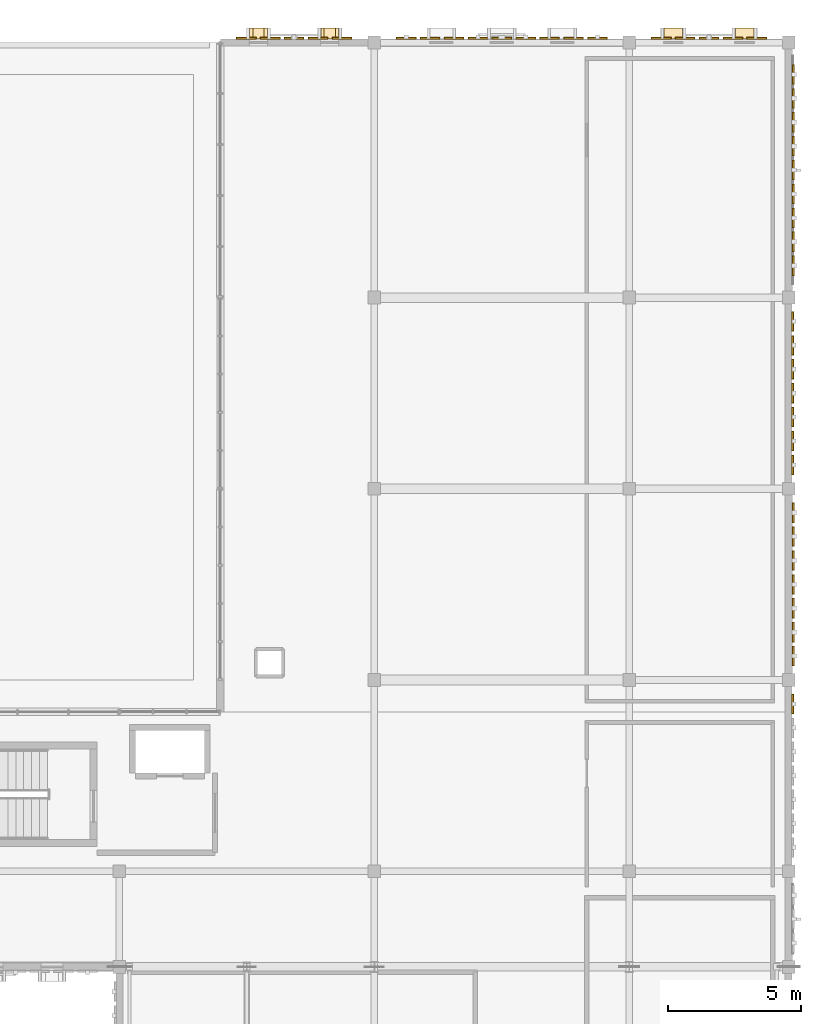
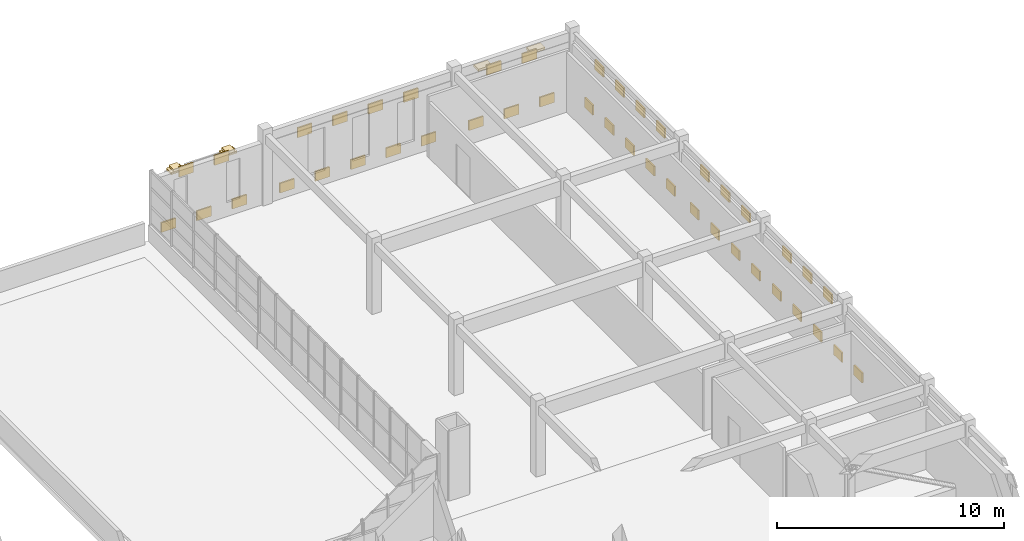
# One storey, part 79 of 79: 49 coverings.
"""IFC4 building model written with IfcOpenShell, lengths in metres."""

from ifc_helpers import new_model, si_unit, direction, frame, origin, origin_2d, place, context, subcontext, project, spatial, rectangle, extrude, material, layer, layer_set, type_object, element, save


model = new_model("IFC4")

# Units and contexts
model_context = context("Model", 3, precision=1e-05, world=origin(), true_north=direction((0.0, 1.0)))
body_context = subcontext(model_context, "Body", "Model", "MODEL_VIEW")
ifc_project = project(units=[si_unit("LENGTHUNIT", "METRE"), si_unit("AREAUNIT", "SQUARE_METRE"), si_unit("VOLUMEUNIT", "CUBIC_METRE"), si_unit("PLANEANGLEUNIT", "RADIAN"), si_unit("MASSUNIT", "GRAM", prefix="KILO")], contexts=[model_context])

# Site, building, storey
site_placement = place(None, origin())
site = spatial("IfcSite", under=ifc_project, at=site_placement, CompositionType="ELEMENT")
building_placement = place(site_placement, origin())
building = spatial("IfcBuilding", under=site, at=building_placement, Name="Nzembalo Square Collegiate School", CompositionType="ELEMENT")
storey_placement = place(building_placement, frame((0.0, 0.0, 9.52001953125)))
storey = spatial("IfcBuildingStorey", under=building, at=storey_placement, Name="L02", CompositionType="ELEMENT", Elevation=9.52001953125)

# Coverings
ifc_material_1 = material(Name="Glazed cobalt ceramic patterned tile")
ifc_layer_1 = layer(ifc_material_1, 0.074951171875, Name="Glazed cobalt ceramic patterned tile")
ifc_layer_set_1 = layer_set([ifc_layer_1], Name="Glazed cobalt ceramic patterned tile")
covering_type_1 = type_object("IfcCoveringType", Name="CL01", PredefinedType="CLADDING", material=ifc_layer_set_1)
for number, where, z_axis, x_axis, name in (
    (1, (145.178955078125, 114.159912109375, 0.099853515625), (0.0, 0.0, 1.0), (1.0, 0.0, 0.0), "Patterned ceramic tile CL01-X0155-0-0"),
    (2, (146.0791015625, 114.159912109375, 2.759033203125), (0.0, 0.0, 1.0), (1.0, 0.0, 0.0), "Patterned ceramic tile CL01-X0155-1-1"),
    (3, (146.97900390625, 114.159912109375, 0.099853515625), (0.0, 0.0, 1.0), (1.0, 0.0, 0.0), "Patterned ceramic tile CL01-X0155-2-0"),
    (4, (147.87890625, 114.159912109375, 2.759033203125), (0.0, 0.0, 1.0), (1.0, 0.0, 0.0), "Patterned ceramic tile CL01-X0155-3-1"),
    (5, (148.779052734375, 114.159912109375, 0.099853515625), (0.0, 0.0, 1.0), (1.0, 0.0, 0.0), "Patterned ceramic tile CL01-X0155-4-0"),
    (6, (151.199951171875, 114.169921875, 0.099853515625), (0.0, 0.0, 1.0), (1.0, 0.0, 0.0), "Patterned ceramic tile CL01-X0156-0-0"),
    (7, (152.10009765625, 114.169921875, 2.759033203125), (0.0, 0.0, 1.0), (1.0, 0.0, 0.0), "Patterned ceramic tile CL01-X0156-1-1"),
    (8, (153.0, 114.169921875, 0.099853515625), (0.0, 0.0, 1.0), (1.0, 0.0, 0.0), "Patterned ceramic tile CL01-X0156-2-0"),
    (9, (153.89990234375, 114.169921875, 2.759033203125), (0.0, 0.0, 1.0), (1.0, 0.0, 0.0), "Patterned ceramic tile CL01-X0156-3-1"),
    (10, (154.800048828125, 114.169921875, 0.099853515625), (0.0, 0.0, 1.0), (1.0, 0.0, 0.0), "Patterned ceramic tile CL01-X0156-4-0"),
    (11, (155.699951171875, 114.169921875, 2.759033203125), (0.0, 0.0, 1.0), (1.0, 0.0, 0.0), "Patterned ceramic tile CL01-X0156-5-1"),
    (12, (156.60009765625, 114.169921875, 0.099853515625), (0.0, 0.0, 1.0), (1.0, 0.0, 0.0), "Patterned ceramic tile CL01-X0156-6-0"),
    (13, (157.5, 114.169921875, 2.759033203125), (0.0, 0.0, 1.0), (1.0, 0.0, 0.0), "Patterned ceramic tile CL01-X0156-7-1"),
    (14, (158.39990234375, 114.169921875, 0.099853515625), (0.0, 0.0, 1.0), (1.0, 0.0, 0.0), "Patterned ceramic tile CL01-X0156-8-0"),
    (15, (160.800048828125, 114.159912109375, 0.099853515625), (0.0, 0.0, 1.0), (1.0, 0.0, 0.0), "Patterned ceramic tile CL01-X0157-0-0"),
    (16, (161.699951171875, 114.159912109375, 2.759033203125), (0.0, 0.0, 1.0), (1.0, 0.0, 0.0), "Patterned ceramic tile CL01-X0157-1-1"),
    (17, (162.60009765625, 114.159912109375, 0.099853515625), (0.0, 0.0, 1.0), (1.0, 0.0, 0.0), "Patterned ceramic tile CL01-X0157-2-0"),
    (18, (163.5, 114.159912109375, 2.759033203125), (0.0, 0.0, 1.0), (1.0, 0.0, 0.0), "Patterned ceramic tile CL01-X0157-3-1"),
    (19, (164.39990234375, 114.159912109375, 0.099853515625), (0.0, 0.0, 1.0), (1.0, 0.0, 0.0), "Patterned ceramic tile CL01-X0157-4-0"),
):
    element("IfcCovering", number, at=place(storey_placement, frame(where, z_axis=z_axis, x_axis=x_axis)), inside=storey, type_object=covering_type_1, Name=name, PredefinedType="CLADDING", context=body_context, shape_type="SweptSolid", body=[
        extrude(rectangle(XDim=0.739990234375, YDim=0.074951171875, at=origin_2d()), origin(), (0.0, 0.0, 1.0), 0.52001953125),
    ])
for number, where, z_axis, x_axis, name in (
    (20, (165.760009765625, 89.10009765625, 0.099853515625), (0.0, 0.0, 1.0), (1.0, 0.0, 0.0), "Patterned ceramic tile CL01-Y0169-6-0"),
    (21, (165.77001953125, 90.89990234375, 0.099853515625), (0.0, 0.0, 1.0), (1.0, 0.0, 0.0), "Patterned ceramic tile CL01-Y0170-0-0"),
    (22, (165.77001953125, 91.800048828125, 2.678955078125), (0.0, 0.0, 1.0), (1.0, 0.0, 0.0), "Patterned ceramic tile CL01-Y0170-1-1"),
    (23, (165.77001953125, 92.699951171875, 0.099853515625), (0.0, 0.0, 1.0), (1.0, 0.0, 0.0), "Patterned ceramic tile CL01-Y0170-2-0"),
    (24, (165.77001953125, 93.60009765625, 2.678955078125), (0.0, 0.0, 1.0), (1.0, 0.0, 0.0), "Patterned ceramic tile CL01-Y0170-3-1"),
    (25, (165.77001953125, 94.5, 0.099853515625), (0.0, 0.0, 1.0), (1.0, 0.0, 0.0), "Patterned ceramic tile CL01-Y0170-4-0"),
    (26, (165.77001953125, 95.39990234375, 2.678955078125), (0.0, 0.0, 1.0), (1.0, 0.0, 0.0), "Patterned ceramic tile CL01-Y0170-5-1"),
    (27, (165.77001953125, 96.300048828125, 0.099853515625), (0.0, 0.0, 1.0), (1.0, 0.0, 0.0), "Patterned ceramic tile CL01-Y0170-6-0"),
    (28, (165.760009765625, 98.10009765625, 0.099853515625), (0.0, 0.0, 1.0), (1.0, 0.0, 0.0), "Patterned ceramic tile CL01-Y0171-0-0"),
    (29, (165.760009765625, 99.0, 2.678955078125), (0.0, 0.0, 1.0), (1.0, 0.0, 0.0), "Patterned ceramic tile CL01-Y0171-1-1"),
    (30, (165.760009765625, 99.89990234375, 0.099853515625), (0.0, 0.0, 1.0), (1.0, 0.0, 0.0), "Patterned ceramic tile CL01-Y0171-2-0"),
    (31, (165.760009765625, 100.800048828125, 2.678955078125), (0.0, 0.0, 1.0), (1.0, 0.0, 0.0), "Patterned ceramic tile CL01-Y0171-3-1"),
    (32, (165.760009765625, 101.699951171875, 0.099853515625), (0.0, 0.0, 1.0), (1.0, 0.0, 0.0), "Patterned ceramic tile CL01-Y0171-4-0"),
    (33, (165.760009765625, 102.60009765625, 2.678955078125), (0.0, 0.0, 1.0), (1.0, 0.0, 0.0), "Patterned ceramic tile CL01-Y0171-5-1"),
    (34, (165.760009765625, 103.5, 0.099853515625), (0.0, 0.0, 1.0), (1.0, 0.0, 0.0), "Patterned ceramic tile CL01-Y0171-6-0"),
    (35, (165.77001953125, 105.60009765625, 0.099853515625), (0.0, 0.0, 1.0), (1.0, 0.0, 0.0), "Patterned ceramic tile CL01-Y0172-0-0"),
    (36, (165.77001953125, 106.5, 2.678955078125), (0.0, 0.0, 1.0), (1.0, 0.0, 0.0), "Patterned ceramic tile CL01-Y0172-1-1"),
    (37, (165.77001953125, 107.39990234375, 0.099853515625), (0.0, 0.0, 1.0), (1.0, 0.0, 0.0), "Patterned ceramic tile CL01-Y0172-2-0"),
    (38, (165.77001953125, 108.300048828125, 2.678955078125), (0.0, 0.0, 1.0), (1.0, 0.0, 0.0), "Patterned ceramic tile CL01-Y0172-3-1"),
    (39, (165.77001953125, 109.199951171875, 0.099853515625), (0.0, 0.0, 1.0), (1.0, 0.0, 0.0), "Patterned ceramic tile CL01-Y0172-4-0"),
    (40, (165.77001953125, 110.10009765625, 2.678955078125), (0.0, 0.0, 1.0), (1.0, 0.0, 0.0), "Patterned ceramic tile CL01-Y0172-5-1"),
    (41, (165.77001953125, 111.0, 0.099853515625), (0.0, 0.0, 1.0), (1.0, 0.0, 0.0), "Patterned ceramic tile CL01-Y0172-6-0"),
    (42, (165.77001953125, 111.89990234375, 2.678955078125), (0.0, 0.0, 1.0), (1.0, 0.0, 0.0), "Patterned ceramic tile CL01-Y0172-7-1"),
    (43, (165.77001953125, 112.800048828125, 0.099853515625), (0.0, 0.0, 1.0), (1.0, 0.0, 0.0), "Patterned ceramic tile CL01-Y0172-8-0"),
):
    element("IfcCovering", number, at=place(storey_placement, frame(where, z_axis=z_axis, x_axis=x_axis)), inside=storey, type_object=covering_type_1, Name=name, PredefinedType="CLADDING", context=body_context, shape_type="SweptSolid", body=[
        extrude(rectangle(XDim=0.074951171875, YDim=0.739990234375, at=origin_2d()), origin(), (0.0, 0.0, 1.0), 0.52001953125),
    ])
ifc_material_2 = material(Name="Glazed celadon ceramic window frame")
ifc_layer_2 = layer(ifc_material_2, 0.419921875, Name="Glazed celadon ceramic window frame")
ifc_layer_set_2 = layer_set([ifc_layer_2], Name="Glazed celadon ceramic window frame")
covering_type_2 = type_object("IfcCoveringType", Name="WF01", PredefinedType="CLADDING", material=ifc_layer_set_2)
covering_1_placement = place(storey_placement, frame((145.639404296875, 114.33740234375, 3.02001953125), z_axis=(0.0, 0.0, 1.0), x_axis=(1.0, 0.0, 0.0)))
element("IfcCovering", 44, at=covering_1_placement, inside=storey, type_object=covering_type_2, Name="Pointed lancet gable WF01-0428-1", PredefinedType="CLADDING", context=body_context, shape_type="SweptSolid", body=[
    extrude(rectangle(XDim=0.6689453125, YDim=0.419921875, at=origin_2d()), origin(), (0.0, 0.0, 1.0), 0.1201171875),
])
covering_2_placement = place(storey_placement, frame((145.639404296875, 114.33740234375, 3.139892578125), z_axis=(0.0, 0.0, 1.0), x_axis=(1.0, 0.0, 0.0)))
element("IfcCovering", 45, at=covering_2_placement, inside=storey, type_object=covering_type_2, Name="Pointed lancet gable WF01-0428-2", PredefinedType="CLADDING", context=body_context, shape_type="SweptSolid", body=[
    extrude(rectangle(XDim=0.422119140625, YDim=0.419921875, at=origin_2d()), origin(), (0.0, 0.0, 1.0), 0.1201171875),
])
covering_3_placement = place(storey_placement, frame((148.318603515625, 114.33740234375, 3.02001953125), z_axis=(0.0, 0.0, 1.0), x_axis=(1.0, 0.0, 0.0)))
element("IfcCovering", 46, at=covering_3_placement, inside=storey, type_object=covering_type_2, Name="Pointed lancet gable WF01-0429-1", PredefinedType="CLADDING", context=body_context, shape_type="SweptSolid", body=[
    extrude(rectangle(XDim=0.6689453125, YDim=0.419921875, at=origin_2d()), origin(), (0.0, 0.0, 1.0), 0.1201171875),
])
covering_4_placement = place(storey_placement, frame((148.318603515625, 114.33740234375, 3.139892578125), z_axis=(0.0, 0.0, 1.0), x_axis=(1.0, 0.0, 0.0)))
element("IfcCovering", 47, at=covering_4_placement, inside=storey, type_object=covering_type_2, Name="Pointed lancet gable WF01-0429-2", PredefinedType="CLADDING", context=body_context, shape_type="SweptSolid", body=[
    extrude(rectangle(XDim=0.422119140625, YDim=0.419921875, at=origin_2d()), origin(), (0.0, 0.0, 1.0), 0.1201171875),
])
for number, where, z_axis, x_axis, name in (
    (48, (161.260986328125, 114.33740234375, 3.099853515625), (0.0, 0.0, 1.0), (1.0, 0.0, 0.0), "Pointed lancet gable WF01-0436-1"),
    (49, (163.93896484375, 114.33740234375, 3.099853515625), (0.0, 0.0, 1.0), (1.0, 0.0, 0.0), "Pointed lancet gable WF01-0437-1"),
):
    element("IfcCovering", number, at=place(storey_placement, frame(where, z_axis=z_axis, x_axis=x_axis)), inside=storey, type_object=covering_type_2, Name=name, PredefinedType="CLADDING", context=body_context, shape_type="SweptSolid", body=[
        extrude(rectangle(XDim=0.698974609375, YDim=0.419921875, at=origin_2d()), origin(), (0.0, 0.0, 1.0), 0.1201171875),
    ])

save(model, "model.ifc")
